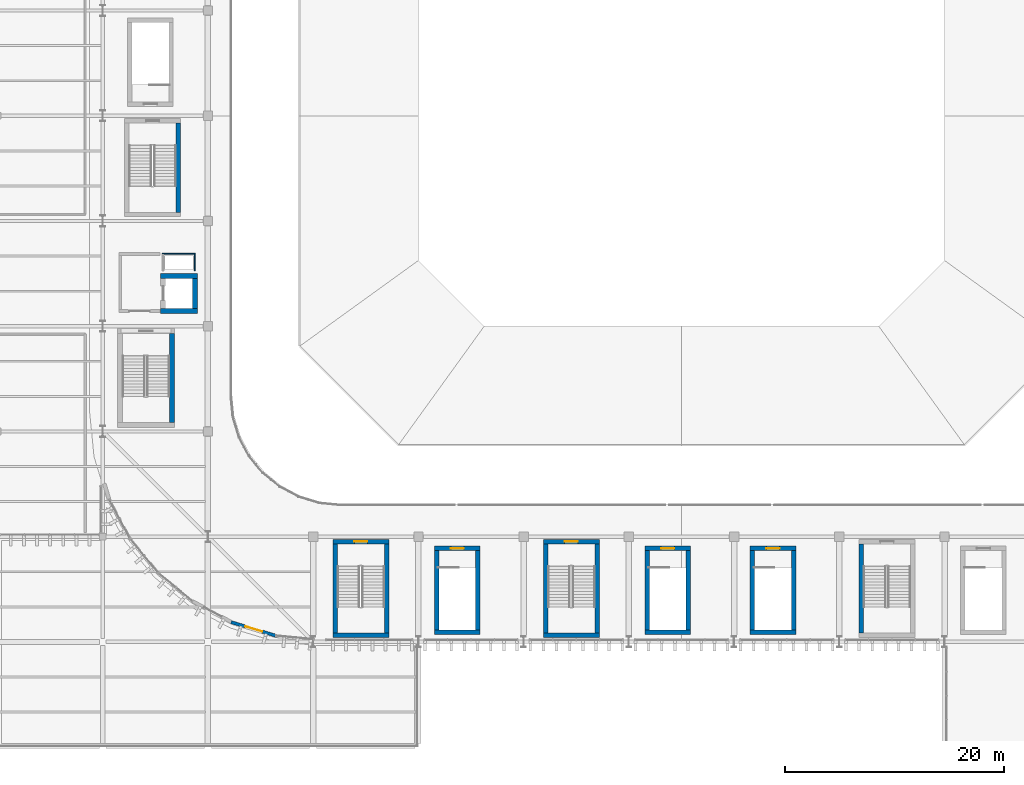
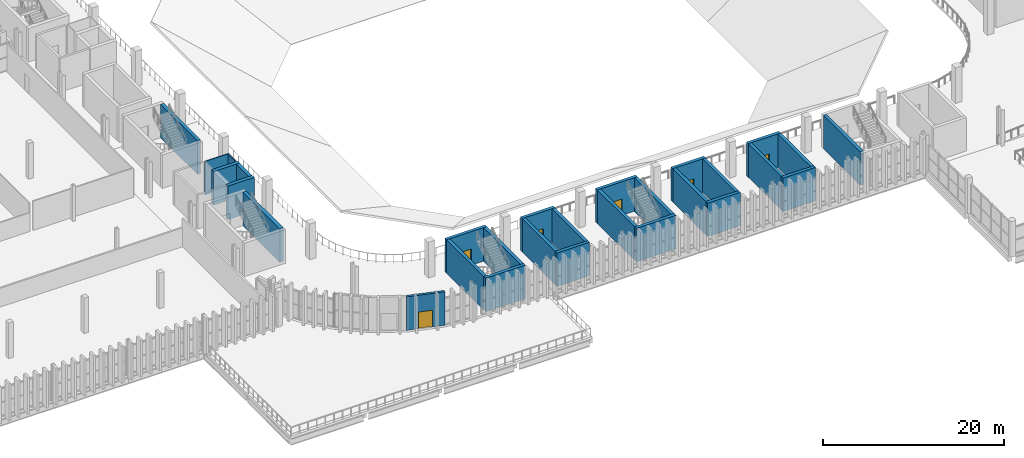
# One storey, part 60 of 99: 29 walls, 6 doors, 6 openings.
"""IFC4 building model written with IfcOpenShell, lengths in metres."""

from ifc_helpers import new_model, si_unit, direction, frame, frame_2d, origin, place, context, subcontext, project, spatial, rectangle, extrude, material, layer, layer_set, type_object, element, fill, save


model = new_model("IFC4")

# Units and contexts
model_context = context("Model", 3, precision=1e-05, world=origin(), true_north=direction((0.0, 1.0)))
body_context = subcontext(model_context, "Body", "Model", "MODEL_VIEW")
ifc_project = project(units=[si_unit("LENGTHUNIT", "METRE"), si_unit("AREAUNIT", "SQUARE_METRE"), si_unit("VOLUMEUNIT", "CUBIC_METRE"), si_unit("PLANEANGLEUNIT", "RADIAN"), si_unit("MASSUNIT", "GRAM", prefix="KILO")], contexts=[model_context])

# Site, building, storey
site_placement = place(None, origin())
site = spatial("IfcSite", under=ifc_project, at=site_placement, CompositionType="ELEMENT")
building_placement = place(site_placement, origin())
building = spatial("IfcBuilding", under=site, at=building_placement, Name="Caelomonte Colonnade Arena", CompositionType="ELEMENT")
storey_placement = place(building_placement, frame((0.0, 0.0, 4.800048828125)))
storey = spatial("IfcBuildingStorey", under=building, at=storey_placement, Name="L01", CompositionType="ELEMENT", Elevation=4.800048828125)

# Wall, opening, door
ifc_material_1 = material(Name="Precast concrete C40/50", Category="concrete")
ifc_layer_1 = layer(ifc_material_1, 0.2900390625)
ifc_layer_set_1 = layer_set([ifc_layer_1], Name="Precast concrete C40/50")
wall_type_1 = type_object("IfcWallType", Name="ENV-WL-EXT29", PredefinedType="SOLIDWALL", material=ifc_layer_set_1)
wall_1_placement = place(storey_placement, frame((69.301025390625, 21.005615234375, 0.0), z_axis=(0.0, 0.0, 1.0), x_axis=(0.956944247693, -0.290271780936, 0.0)))
wall_1 = element("IfcWall", 1, at=wall_1_placement, inside=storey, type_object=wall_type_1, Name="L01 exterior wall EW-L01-0184", PredefinedType="SOLIDWALL", context=body_context, shape_type="SweptSolid", body=[
    extrude(rectangle(XDim=4.356689453125, YDim=0.2900390625, at=frame_2d((2.17822265625, 0.0))), origin(), (0.0, 0.0, 1.0), 4.52001953125),
])
opening_1_placement = place(wall_1_placement, frame((2.978515625, 0.0, 0.0), z_axis=(0.0, 0.0, 1.0), x_axis=(-1.0, 0.0, 0.0)))
opening_1 = element("IfcOpeningElement", 2, at=opening_1_placement, cuts=wall_1, Name="Opening DT-L01-02", PredefinedType="OPENING", context=body_context, shape_type="SweptSolid", body=[
    extrude(rectangle(XDim=1.60009765625, YDim=2.25, at=frame_2d((0.800048828125, 1.125))), frame((0.0, 0.155029296875, 0.0), z_axis=(0.0, -1.0, 0.0), x_axis=(1.0, 0.0, 0.0)), (0.0, 0.0, 1.0), 0.31005859375),
])
ifc_material_2 = material(Name="Bronze anodised aluminium glazed terrace door", Category="aluminium")
door_type_1 = type_object("IfcDoorType", Name="ENV-DR-TR2", OperationType="DOUBLE_DOOR_SINGLE_SWING", PredefinedType="DOOR", material=ifc_material_2)
door_1_placement = place(opening_1_placement, origin())
door_1 = element("IfcDoor", 3, at=door_1_placement, inside=storey, type_object=door_type_1, Name="L01 South Colonnade Terrace Roof door DT-L01-02", OperationType="DOUBLE_DOOR_SINGLE_SWING", OverallHeight=2.25, OverallWidth=1.60009765625, PredefinedType="DOOR", context=body_context, shape_type="SweptSolid", body=[
    extrude(rectangle(XDim=1.60009765625, YDim=2.25, at=frame_2d((0.800048828125, 1.125))), frame((0.0, 0.02490234375, 0.0), z_axis=(0.0, -1.0, 0.0), x_axis=(1.0, 0.0, 0.0)), (0.0, 0.0, 1.0), 0.050048828125),
])
fill(opening_1, door_1)

# Walls
ifc_material_3 = material(Name="Service shaft lining partition")
ifc_layer_2 = layer(ifc_material_3, 0.10009765625)
ifc_layer_set_2 = layer_set([ifc_layer_2], Name="Service shaft lining partition")
wall_type_2 = type_object("IfcWallType", Name="INT-WL-PT10", PredefinedType="PARTITIONING", material=ifc_layer_set_2)
wall_2_placement = place(storey_placement, frame((66.050048828125, 54.60009765625, 0.0), z_axis=(0.0, 0.0, 1.0), x_axis=(-1.0, 0.0, 0.0)))
element("IfcWall", 4, at=wall_2_placement, inside=storey, type_object=wall_type_2, Name="FW-C1-RS L01 north enclosure wall", PredefinedType="PARTITIONING", context=body_context, shape_type="SweptSolid", body=[
    extrude(rectangle(XDim=3.0, YDim=0.10009765625, at=frame_2d((1.5, 0.0))), origin(), (0.0, 0.0, 1.0), 4.52001953125),
])
wall_3_placement = place(storey_placement, frame((66.0, 53.050048828125, 0.0), z_axis=(0.0, 0.0, 1.0), x_axis=(0.0, 1.0, 0.0)))
element("IfcWall", 5, at=wall_3_placement, inside=storey, type_object=wall_type_2, Name="FW-C1-RS L01 east enclosure wall", PredefinedType="PARTITIONING", context=body_context, shape_type="SweptSolid", body=[
    extrude(rectangle(XDim=1.5, YDim=0.10009765625, at=frame_2d((0.75, 0.0))), origin(), (0.0, 0.0, 1.0), 4.52001953125),
])
ifc_material_4 = material(Name="Concrete C50/60", Category="concrete")
ifc_layer_3 = layer(ifc_material_4, 0.39990234375)
ifc_layer_set_3 = layer_set([ifc_layer_3], Name="Concrete C50/60")
wall_type_3 = type_object("IfcWallType", Name="INT-WL-SH40", PredefinedType="SHEAR", material=ifc_layer_set_3)
wall_4_placement = place(storey_placement, frame((64.5, 58.39990234375, 0.0), z_axis=(0.0, 0.0, 1.0), x_axis=(0.0, 1.0, 0.0)))
element("IfcWall", 6, at=wall_4_placement, inside=storey, type_object=wall_type_3, Name="CW-ST-09 L01 east enclosure wall", PredefinedType="SHEAR", context=body_context, shape_type="SweptSolid", body=[
    extrude(rectangle(XDim=8.150146484375, YDim=0.39990234375, at=frame_2d((4.0751953125, 0.0))), origin(), (0.0, 0.0, 1.0), 4.52001953125),
])
wall_5_placement = place(storey_placement, frame((78.60009765625, 19.800048828125, 0.0), z_axis=(0.0, 0.0, 1.0), x_axis=(1.0, 0.0, 0.0)))
element("IfcWall", 7, at=wall_5_placement, inside=storey, type_object=wall_type_3, Name="CW-ST-11 L01 south enclosure wall", PredefinedType="SHEAR", context=body_context, shape_type="SweptSolid", body=[
    extrude(rectangle(XDim=5.099853515625, YDim=0.39990234375, at=frame_2d((2.5498046875, 0.0))), origin(), (0.0, 0.0, 1.0), 4.52001953125),
])

# Wall, opening, door
wall_6_placement = place(storey_placement, frame((83.699951171875, 28.35009765625, 0.0), z_axis=(0.0, 0.0, 1.0), x_axis=(-1.0, 0.0, 0.0)))
wall_6 = element("IfcWall", 8, at=wall_6_placement, inside=storey, type_object=wall_type_3, Name="CW-ST-11 L01 north enclosure wall", PredefinedType="SHEAR", context=body_context, shape_type="SweptSolid", body=[
    extrude(rectangle(XDim=5.099853515625, YDim=0.39990234375, at=frame_2d((2.5498046875, 0.0))), origin(), (0.0, 0.0, 1.0), 4.52001953125),
])
opening_2_placement = place(wall_6_placement, frame((3.14990234375, 0.0, 0.0), z_axis=(0.0, 0.0, 1.0), x_axis=(-1.0, 0.0, 0.0)))
opening_2 = element("IfcOpeningElement", 9, at=opening_2_placement, cuts=wall_6, Name="Opening FD-1", PredefinedType="OPENING", context=body_context, shape_type="SweptSolid", body=[
    extrude(rectangle(XDim=1.199951171875, YDim=2.199951171875, at=frame_2d((0.60009765625, 1.10009765625))), frame((0.0, 0.2099609375, 0.0), z_axis=(0.0, -1.0, 0.0), x_axis=(1.0, 0.0, 0.0)), (0.0, 0.0, 1.0), 0.419921875),
])
ifc_material_5 = material(Name="Fire-rated steel door", Category="steel")
door_type_2 = type_object("IfcDoorType", Name="INT-DR-FD90A", OperationType="NOTDEFINED", PredefinedType="DOOR", material=ifc_material_5)
door_2_placement = place(opening_2_placement, origin())
door_2 = element("IfcDoor", 10, at=door_2_placement, inside=storey, type_object=door_type_2, Name="Protected exit stair ST-11 L01 fire door", OperationType="SINGLE_SWING_RIGHT", OverallHeight=2.199951171875, OverallWidth=1.199951171875, PredefinedType="DOOR", context=body_context, shape_type="SweptSolid", body=[
    extrude(rectangle(XDim=1.199951171875, YDim=2.199951171875, at=frame_2d((0.60009765625, 1.10009765625))), frame((0.0, 0.02490234375, 0.0), z_axis=(0.0, -1.0, 0.0), x_axis=(1.0, 0.0, 0.0)), (0.0, 0.0, 1.0), 0.050048828125),
])
fill(opening_2, door_2)

# Walls
for number, where, z_axis, x_axis, name in (
    (11, (78.800048828125, 28.14990234375, 0.0), (0.0, 0.0, 1.0), (0.0, -1.0, 0.0), "CW-ST-11 L01 west enclosure wall"),
    (12, (83.5, 20.0, 0.0), (0.0, 0.0, 1.0), (0.0, 1.0, 0.0), "CW-ST-11 L01 east enclosure wall"),
):
    element("IfcWall", number, at=place(storey_placement, frame(where, z_axis=z_axis, x_axis=x_axis)), inside=storey, type_object=wall_type_3, Name=name, PredefinedType="SHEAR", context=body_context, shape_type="SweptSolid", body=[
        extrude(rectangle(XDim=8.14990234375, YDim=0.39990234375, at=frame_2d((4.074951171875, 0.0))), origin(), (0.0, 0.0, 1.0), 4.52001953125),
    ])
wall_7_placement = place(storey_placement, frame((97.800048828125, 19.800048828125, 0.0), z_axis=(0.0, 0.0, 1.0), x_axis=(1.0, 0.0, 0.0)))
element("IfcWall", 13, at=wall_7_placement, inside=storey, type_object=wall_type_3, Name="CW-ST-12 L01 south enclosure wall", PredefinedType="SHEAR", context=body_context, shape_type="SweptSolid", body=[
    extrude(rectangle(XDim=5.099853515625, YDim=0.39990234375, at=frame_2d((2.5498046875, 0.0))), origin(), (0.0, 0.0, 1.0), 4.52001953125),
])

# Wall, opening, door
wall_8_placement = place(storey_placement, frame((102.89990234375, 28.35009765625, 0.0), z_axis=(0.0, 0.0, 1.0), x_axis=(-1.0, 0.0, 0.0)))
wall_8 = element("IfcWall", 14, at=wall_8_placement, inside=storey, type_object=wall_type_3, Name="CW-ST-12 L01 north enclosure wall", PredefinedType="SHEAR", context=body_context, shape_type="SweptSolid", body=[
    extrude(rectangle(XDim=5.099853515625, YDim=0.39990234375, at=frame_2d((2.5498046875, 0.0))), origin(), (0.0, 0.0, 1.0), 4.52001953125),
])
opening_3_placement = place(wall_8_placement, frame((3.14990234375, 0.0, 0.0), z_axis=(0.0, 0.0, 1.0), x_axis=(-1.0, 0.0, 0.0)))
opening_3 = element("IfcOpeningElement", 15, at=opening_3_placement, cuts=wall_8, Name="Opening FD-1", PredefinedType="OPENING", context=body_context, shape_type="SweptSolid", body=[
    extrude(rectangle(XDim=1.199951171875, YDim=2.199951171875, at=frame_2d((0.60009765625, 1.10009765625))), frame((0.0, 0.2099609375, 0.0), z_axis=(0.0, -1.0, 0.0), x_axis=(1.0, 0.0, 0.0)), (0.0, 0.0, 1.0), 0.419921875),
])
door_3_placement = place(opening_3_placement, origin())
door_3 = element("IfcDoor", 16, at=door_3_placement, inside=storey, type_object=door_type_2, Name="Protected exit stair ST-12 L01 fire door", OperationType="SINGLE_SWING_LEFT", OverallHeight=2.199951171875, OverallWidth=1.199951171875, PredefinedType="DOOR", context=body_context, shape_type="SweptSolid", body=[
    extrude(rectangle(XDim=1.199951171875, YDim=2.199951171875, at=frame_2d((0.60009765625, 1.10009765625))), frame((0.0, 0.02490234375, 0.0), z_axis=(0.0, -1.0, 0.0), x_axis=(1.0, 0.0, 0.0)), (0.0, 0.0, 1.0), 0.050048828125),
])
fill(opening_3, door_3)

# Walls
for number, where, z_axis, x_axis, name in (
    (17, (98.0, 28.14990234375, 0.0), (0.0, 0.0, 1.0), (0.0, -1.0, 0.0), "CW-ST-12 L01 west enclosure wall"),
    (18, (102.699951171875, 20.0, 0.0), (0.0, 0.0, 1.0), (0.0, 1.0, 0.0), "CW-ST-12 L01 east enclosure wall"),
    (19, (126.800048828125, 28.14990234375, 0.0), (0.0, 0.0, 1.0), (0.0, -1.0, 0.0), "CW-ST-13 L01 west enclosure wall"),
):
    element("IfcWall", number, at=place(storey_placement, frame(where, z_axis=z_axis, x_axis=x_axis)), inside=storey, type_object=wall_type_3, Name=name, PredefinedType="SHEAR", context=body_context, shape_type="SweptSolid", body=[
        extrude(rectangle(XDim=8.14990234375, YDim=0.39990234375, at=frame_2d((4.074951171875, 0.0))), origin(), (0.0, 0.0, 1.0), 4.52001953125),
    ])
wall_9_placement = place(storey_placement, frame((87.8701171875, 20.070068359375, 0.0), z_axis=(0.0, 0.0, 1.0), x_axis=(1.0, 0.0, 0.0)))
element("IfcWall", 20, at=wall_9_placement, inside=storey, type_object=wall_type_3, Name="CW-ST-V01 L01 south enclosure wall", PredefinedType="SHEAR", context=body_context, shape_type="SweptSolid", body=[
    extrude(rectangle(XDim=4.159912109375, YDim=0.39990234375, at=frame_2d((2.080078125, 0.0))), origin(), (0.0, 0.0, 1.0), 4.52001953125),
])

# Wall, opening, door
wall_10_placement = place(storey_placement, frame((92.030029296875, 27.72998046875, 0.0), z_axis=(0.0, 0.0, 1.0), x_axis=(-1.0, 0.0, 0.0)))
wall_10 = element("IfcWall", 21, at=wall_10_placement, inside=storey, type_object=wall_type_3, Name="CW-ST-V01 L01 north enclosure wall", PredefinedType="SHEAR", context=body_context, shape_type="SweptSolid", body=[
    extrude(rectangle(XDim=4.159912109375, YDim=0.39990234375, at=frame_2d((2.080078125, 0.0))), origin(), (0.0, 0.0, 1.0), 4.52001953125),
])
opening_4_placement = place(wall_10_placement, frame((2.679931640625, 0.0, 0.0), z_axis=(0.0, 0.0, 1.0), x_axis=(-1.0, 0.0, 0.0)))
opening_4 = element("IfcOpeningElement", 22, at=opening_4_placement, cuts=wall_10, Name="Opening FD-1", PredefinedType="OPENING", context=body_context, shape_type="SweptSolid", body=[
    extrude(rectangle(XDim=1.199951171875, YDim=2.199951171875, at=frame_2d((0.60009765625, 1.10009765625))), frame((0.0, 0.2099609375, 0.0), z_axis=(0.0, -1.0, 0.0), x_axis=(1.0, 0.0, 0.0)), (0.0, 0.0, 1.0), 0.419921875),
])
door_4_placement = place(opening_4_placement, origin())
door_4 = element("IfcDoor", 23, at=door_4_placement, inside=storey, type_object=door_type_2, Name="Vomitory VOM-01 stair ST-V01 L01 portal door", OperationType="SINGLE_SWING_LEFT", OverallHeight=2.199951171875, OverallWidth=1.199951171875, PredefinedType="DOOR", context=body_context, shape_type="SweptSolid", body=[
    extrude(rectangle(XDim=1.199951171875, YDim=2.199951171875, at=frame_2d((0.60009765625, 1.10009765625))), frame((0.0, 0.02490234375, 0.0), z_axis=(0.0, -1.0, 0.0), x_axis=(1.0, 0.0, 0.0)), (0.0, 0.0, 1.0), 0.050048828125),
])
fill(opening_4, door_4)

# Walls
for number, where, z_axis, x_axis, name in (
    (24, (88.070068359375, 27.530029296875, 0.0), (0.0, 0.0, 1.0), (0.0, -1.0, 0.0), "CW-ST-V01 L01 west enclosure wall"),
    (25, (91.830078125, 20.27001953125, 0.0), (0.0, 0.0, 1.0), (0.0, 1.0, 0.0), "CW-ST-V01 L01 east enclosure wall"),
):
    element("IfcWall", number, at=place(storey_placement, frame(where, z_axis=z_axis, x_axis=x_axis)), inside=storey, type_object=wall_type_3, Name=name, PredefinedType="SHEAR", context=body_context, shape_type="SweptSolid", body=[
        extrude(rectangle(XDim=7.260009765625, YDim=0.39990234375, at=frame_2d((3.6298828125, 0.0))), origin(), (0.0, 0.0, 1.0), 4.52001953125),
    ])
wall_11_placement = place(storey_placement, frame((107.070068359375, 20.070068359375, 0.0), z_axis=(0.0, 0.0, 1.0), x_axis=(1.0, 0.0, 0.0)))
element("IfcWall", 26, at=wall_11_placement, inside=storey, type_object=wall_type_3, Name="CW-ST-V02 L01 south enclosure wall", PredefinedType="SHEAR", context=body_context, shape_type="SweptSolid", body=[
    extrude(rectangle(XDim=4.159912109375, YDim=0.39990234375, at=frame_2d((2.080078125, 0.0))), origin(), (0.0, 0.0, 1.0), 4.52001953125),
])

# Wall, opening, door
wall_12_placement = place(storey_placement, frame((111.22998046875, 27.72998046875, 0.0), z_axis=(0.0, 0.0, 1.0), x_axis=(-1.0, 0.0, 0.0)))
wall_12 = element("IfcWall", 27, at=wall_12_placement, inside=storey, type_object=wall_type_3, Name="CW-ST-V02 L01 north enclosure wall", PredefinedType="SHEAR", context=body_context, shape_type="SweptSolid", body=[
    extrude(rectangle(XDim=4.159912109375, YDim=0.39990234375, at=frame_2d((2.080078125, 0.0))), origin(), (0.0, 0.0, 1.0), 4.52001953125),
])
opening_5_placement = place(wall_12_placement, frame((2.679931640625, 0.0, 0.0), z_axis=(0.0, 0.0, 1.0), x_axis=(-1.0, 0.0, 0.0)))
opening_5 = element("IfcOpeningElement", 28, at=opening_5_placement, cuts=wall_12, Name="Opening FD-1", PredefinedType="OPENING", context=body_context, shape_type="SweptSolid", body=[
    extrude(rectangle(XDim=1.199951171875, YDim=2.199951171875, at=frame_2d((0.60009765625, 1.10009765625))), frame((0.0, 0.2099609375, 0.0), z_axis=(0.0, -1.0, 0.0), x_axis=(1.0, 0.0, 0.0)), (0.0, 0.0, 1.0), 0.419921875),
])
door_5_placement = place(opening_5_placement, origin())
door_5 = element("IfcDoor", 29, at=door_5_placement, inside=storey, type_object=door_type_2, Name="Vomitory VOM-02 stair ST-V02 L01 portal door", OperationType="SINGLE_SWING_LEFT", OverallHeight=2.199951171875, OverallWidth=1.199951171875, PredefinedType="DOOR", context=body_context, shape_type="SweptSolid", body=[
    extrude(rectangle(XDim=1.199951171875, YDim=2.199951171875, at=frame_2d((0.60009765625, 1.10009765625))), frame((0.0, 0.02490234375, 0.0), z_axis=(0.0, -1.0, 0.0), x_axis=(1.0, 0.0, 0.0)), (0.0, 0.0, 1.0), 0.050048828125),
])
fill(opening_5, door_5)

# Walls
for number, where, z_axis, x_axis, name in (
    (30, (107.27001953125, 27.530029296875, 0.0), (0.0, 0.0, 1.0), (0.0, -1.0, 0.0), "CW-ST-V02 L01 west enclosure wall"),
    (31, (111.030029296875, 20.27001953125, 0.0), (0.0, 0.0, 1.0), (0.0, 1.0, 0.0), "CW-ST-V02 L01 east enclosure wall"),
):
    element("IfcWall", number, at=place(storey_placement, frame(where, z_axis=z_axis, x_axis=x_axis)), inside=storey, type_object=wall_type_3, Name=name, PredefinedType="SHEAR", context=body_context, shape_type="SweptSolid", body=[
        extrude(rectangle(XDim=7.260009765625, YDim=0.39990234375, at=frame_2d((3.6298828125, 0.0))), origin(), (0.0, 0.0, 1.0), 4.52001953125),
    ])
wall_13_placement = place(storey_placement, frame((116.669921875, 20.070068359375, 0.0), z_axis=(0.0, 0.0, 1.0), x_axis=(1.0, 0.0, 0.0)))
element("IfcWall", 32, at=wall_13_placement, inside=storey, type_object=wall_type_3, Name="CW-ST-V03 L01 south enclosure wall", PredefinedType="SHEAR", context=body_context, shape_type="SweptSolid", body=[
    extrude(rectangle(XDim=4.16015625, YDim=0.39990234375, at=frame_2d((2.080078125, 0.0))), origin(), (0.0, 0.0, 1.0), 4.52001953125),
])

# Wall, opening, door
wall_14_placement = place(storey_placement, frame((120.830078125, 27.72998046875, 0.0), z_axis=(0.0, 0.0, 1.0), x_axis=(-1.0, 0.0, 0.0)))
wall_14 = element("IfcWall", 33, at=wall_14_placement, inside=storey, type_object=wall_type_3, Name="CW-ST-V03 L01 north enclosure wall", PredefinedType="SHEAR", context=body_context, shape_type="SweptSolid", body=[
    extrude(rectangle(XDim=4.16015625, YDim=0.39990234375, at=frame_2d((2.080078125, 0.0))), origin(), (0.0, 0.0, 1.0), 4.52001953125),
])
opening_6_placement = place(wall_14_placement, frame((2.679931640625, 0.0, 0.0), z_axis=(0.0, 0.0, 1.0), x_axis=(-1.0, 0.0, 0.0)))
opening_6 = element("IfcOpeningElement", 34, at=opening_6_placement, cuts=wall_14, Name="Opening FD-1", PredefinedType="OPENING", context=body_context, shape_type="SweptSolid", body=[
    extrude(rectangle(XDim=1.199951171875, YDim=2.199951171875, at=frame_2d((0.60009765625, 1.10009765625))), frame((0.0, 0.2099609375, 0.0), z_axis=(0.0, -1.0, 0.0), x_axis=(1.0, 0.0, 0.0)), (0.0, 0.0, 1.0), 0.419921875),
])
door_6_placement = place(opening_6_placement, origin())
door_6 = element("IfcDoor", 35, at=door_6_placement, inside=storey, type_object=door_type_2, Name="Vomitory VOM-03 stair ST-V03 L01 portal door", OperationType="SINGLE_SWING_LEFT", OverallHeight=2.199951171875, OverallWidth=1.199951171875, PredefinedType="DOOR", context=body_context, shape_type="SweptSolid", body=[
    extrude(rectangle(XDim=1.199951171875, YDim=2.199951171875, at=frame_2d((0.60009765625, 1.10009765625))), frame((0.0, 0.02490234375, 0.0), z_axis=(0.0, -1.0, 0.0), x_axis=(1.0, 0.0, 0.0)), (0.0, 0.0, 1.0), 0.050048828125),
])
fill(opening_6, door_6)

# Walls
for number, where, z_axis, x_axis, name in (
    (36, (116.8701171875, 27.530029296875, 0.0), (0.0, 0.0, 1.0), (0.0, -1.0, 0.0), "CW-ST-V03 L01 west enclosure wall"),
    (37, (120.6298828125, 20.27001953125, 0.0), (0.0, 0.0, 1.0), (0.0, 1.0, 0.0), "CW-ST-V03 L01 east enclosure wall"),
):
    element("IfcWall", number, at=place(storey_placement, frame(where, z_axis=z_axis, x_axis=x_axis)), inside=storey, type_object=wall_type_3, Name=name, PredefinedType="SHEAR", context=body_context, shape_type="SweptSolid", body=[
        extrude(rectangle(XDim=7.260009765625, YDim=0.39990234375, at=frame_2d((3.6298828125, 0.0))), origin(), (0.0, 0.0, 1.0), 4.52001953125),
    ])
ifc_layer_4 = layer(ifc_material_4, 0.449951171875)
ifc_layer_set_4 = layer_set([ifc_layer_4], Name="Concrete C50/60")
wall_type_4 = type_object("IfcWallType", Name="INT-WL-SH45", PredefinedType="SHEAR", material=ifc_layer_set_4)
wall_15_placement = place(storey_placement, frame((63.925048828125, 39.199951171875, 0.0), z_axis=(0.0, 0.0, 1.0), x_axis=(0.0, 1.0, 0.0)))
element("IfcWall", 38, at=wall_15_placement, inside=storey, type_object=wall_type_4, Name="CW-C1-ST L01 east enclosure wall", PredefinedType="SHEAR", context=body_context, shape_type="SweptSolid", body=[
    extrude(rectangle(XDim=8.150146484375, YDim=0.449951171875, at=frame_2d((4.0751953125, 0.0))), origin(), (0.0, 0.0, 1.0), 4.52001953125),
])
for number, where, z_axis, x_axis, name in (
    (39, (62.875, 49.39990234375, 0.0), (0.0, 0.0, 1.0), (1.0, 0.0, 0.0), "CW-C1-LF L01 south enclosure wall"),
    (40, (66.22509765625, 52.60009765625, 0.0), (0.0, 0.0, 1.0), (-1.0, 0.0, 0.0), "CW-C1-LF L01 north enclosure wall"),
):
    element("IfcWall", number, at=place(storey_placement, frame(where, z_axis=z_axis, x_axis=x_axis)), inside=storey, type_object=wall_type_4, Name=name, PredefinedType="SHEAR", context=body_context, shape_type="SweptSolid", body=[
        extrude(rectangle(XDim=3.35009765625, YDim=0.449951171875, at=frame_2d((1.675048828125, 0.0))), origin(), (0.0, 0.0, 1.0), 4.52001953125),
    ])
wall_16_placement = place(storey_placement, frame((66.0, 49.625, 0.0), z_axis=(0.0, 0.0, 1.0), x_axis=(0.0, 1.0, 0.0)))
element("IfcWall", 41, at=wall_16_placement, inside=storey, type_object=wall_type_4, Name="CW-C1-LF L01 east enclosure wall", PredefinedType="SHEAR", context=body_context, shape_type="SweptSolid", body=[
    extrude(rectangle(XDim=2.75, YDim=0.449951171875, at=frame_2d((1.375, 0.0))), origin(), (0.0, 0.0, 1.0), 4.52001953125),
])

save(model, "model.ifc")
